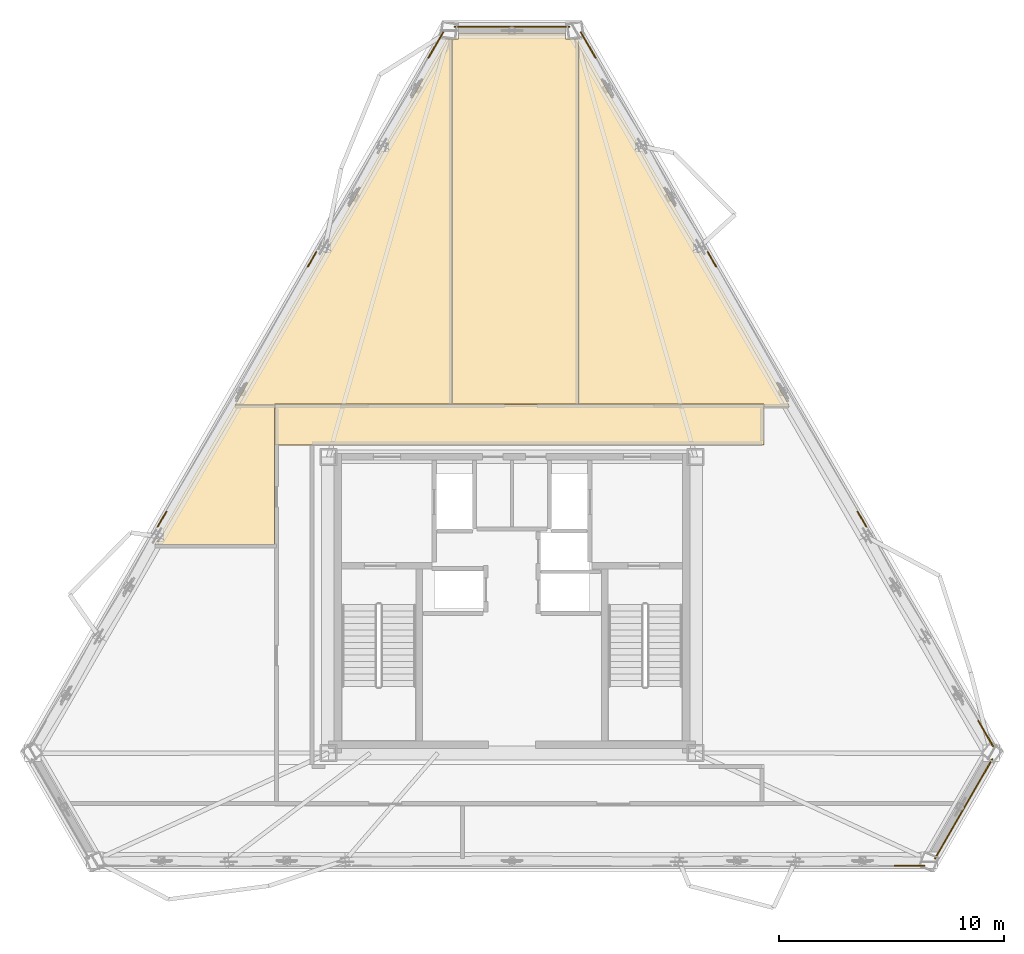
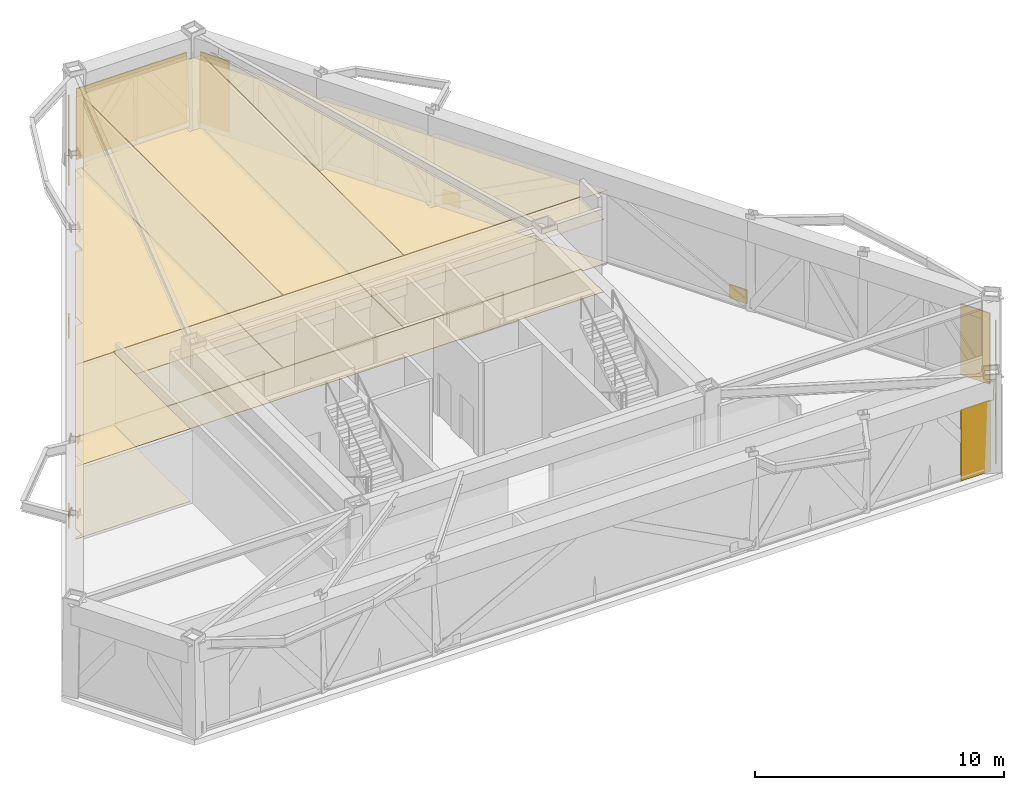
# One storey, part 10 of 10: 20 coverings.
"""IFC4 building model written with IfcOpenShell, lengths in metres."""

from ifc_helpers import new_model, si_unit, direction, frame, origin, origin_2d, place, context, subcontext, project, spatial, polyline, rectangle, outline, extrude, material, layer, layer_set, type_object, element, save


model = new_model("IFC4")

# Units and contexts
model_context = context("Model", 3, precision=1e-05, world=origin(), true_north=direction((0.0, 1.0)))
body_context = subcontext(model_context, "Body", "Model", "MODEL_VIEW")
ifc_project = project(units=[si_unit("LENGTHUNIT", "METRE"), si_unit("AREAUNIT", "SQUARE_METRE"), si_unit("VOLUMEUNIT", "CUBIC_METRE"), si_unit("PLANEANGLEUNIT", "RADIAN"), si_unit("MASSUNIT", "GRAM", prefix="KILO")], contexts=[model_context])

# Site, building, storey
site_placement = place(None, origin())
site = spatial("IfcSite", under=ifc_project, at=site_placement, CompositionType="ELEMENT")
building_placement = place(site_placement, origin())
building = spatial("IfcBuilding", under=site, at=building_placement, Name="Oramaril Tower", CompositionType="ELEMENT")
storey_placement = place(building_placement, frame((0.0, 0.0, 245.10009765625)))
storey = spatial("IfcBuildingStorey", under=building, at=storey_placement, Name="L65", CompositionType="ELEMENT", Elevation=245.10009765625)

# Coverings
ifc_material_1 = material(Name="Mineral Fibre Acoustic Ceiling")
ifc_layer_1 = layer(ifc_material_1, 0.02001953125)
ifc_layer_set_1 = layer_set([ifc_layer_1], Name="CVT-CEIL")
covering_type_1 = type_object("IfcCoveringType", Name="CVT-CEIL", PredefinedType="CEILING", material=ifc_layer_set_1)
covering_1_placement = place(storey_placement, frame((0.0, 0.0, 3.56201171875)))
element("IfcCovering", 1, at=covering_1_placement, inside=storey, type_object=covering_type_1, Name="L65 Acoustic Suspended Ceiling 2", PredefinedType="CEILING", context=body_context, shape_type="SweptSolid", body=[
    extrude(outline(polyline([(48.679931640625, 26.47998046875), (48.679931640625, 24.669921875), (26.969970703125, 24.669921875), (26.969970703125, 26.47998046875), (48.679931640625, 26.47998046875)])), origin(), (0.0, 0.0, 1.0), 0.019775390625),
])
covering_2_placement = place(storey_placement, frame((0.0, 0.0, 3.56201171875)))
element("IfcCovering", 2, at=covering_2_placement, inside=storey, type_object=covering_type_1, Name="L65 Acoustic Suspended Ceiling 7", PredefinedType="CEILING", context=body_context, shape_type="SweptSolid", body=[
    extrude(outline(polyline([(21.70947265625, 20.397705078125), (22.0029296875, 20.397705078125), (22.0029296875, 20.87646484375), (21.98583984375, 20.87646484375), (25.19921875, 26.44189453125), (26.949951171875, 26.44189453125), (26.949951171875, 24.669921875), (26.9501953125, 24.66796875), (26.950439453125, 24.666015625), (26.950927734375, 24.664306640625), (26.951416015625, 24.662353515625), (26.952392578125, 24.66064453125), (26.95263671875, 24.659912109375), (26.952392578125, 24.659423828125), (26.951416015625, 24.65771484375), (26.950927734375, 24.65576171875), (26.950439453125, 24.65380859375), (26.9501953125, 24.652099609375), (26.949951171875, 24.64990234375), (26.949951171875, 20.261962890625), (21.631103515625, 20.261962890625), (21.70947265625, 20.397705078125)])), origin(), (0.0, 0.0, 1.0), 0.019775390625),
])
covering_3_placement = place(storey_placement, frame((0.0, 0.0, 3.56201171875)))
element("IfcCovering", 3, at=covering_3_placement, inside=storey, type_object=covering_type_1, Name="L65 Acoustic Suspended Ceiling 8", PredefinedType="CEILING", context=body_context, shape_type="SweptSolid", body=[
    extrude(outline(polyline([(29.413330078125, 33.23291015625), (29.413330078125, 33.6943359375), (29.386474609375, 33.6943359375), (31.713623046875, 37.725341796875), (32.007080078125, 37.725341796875), (32.007080078125, 38.1806640625), (31.9765625, 38.1806640625), (34.591064453125, 42.708984375), (34.842041015625, 42.708984375), (34.842041015625, 26.5), (26.969970703125, 26.5), (26.968017578125, 26.5), (26.966064453125, 26.49951171875), (26.964111328125, 26.4990234375), (26.96240234375, 26.49853515625), (26.960693359375, 26.49755859375), (26.958984375, 26.49658203125), (26.957275390625, 26.49560546875), (26.955810546875, 26.494140625), (26.95458984375, 26.49267578125), (26.953369140625, 26.4912109375), (26.952392578125, 26.489501953125), (26.951416015625, 26.48779296875), (26.950927734375, 26.48583984375), (26.950439453125, 26.48388671875), (26.9501953125, 26.48193359375), (26.949951171875, 26.47998046875), (26.949951171875, 26.4619140625), (25.210693359375, 26.4619140625), (29.1201171875, 33.23291015625), (29.413330078125, 33.23291015625)])), origin(), (0.0, 0.0, 1.0), 0.019775390625),
])
covering_4_placement = place(storey_placement, frame((0.0, 0.0, 3.56201171875)))
element("IfcCovering", 4, at=covering_4_placement, inside=storey, type_object=covering_type_1, Name="L65 Acoustic Suspended Ceiling 9", PredefinedType="CEILING", context=body_context, shape_type="SweptSolid", body=[
    extrude(outline(polyline([(35.121826171875, 42.708984375), (35.121826171875, 42.980224609375), (39.878173828125, 42.980224609375), (39.878173828125, 42.708984375), (40.408935546875, 42.708984375), (40.44189453125, 42.65185546875), (40.44189453125, 26.5), (34.862060546875, 26.5), (34.862060546875, 42.708984375), (35.121826171875, 42.708984375)])), origin(), (0.0, 0.0, 1.0), 0.019775390625),
])
covering_5_placement = place(storey_placement, frame((0.0, 0.0, 3.56201171875)))
element("IfcCovering", 5, at=covering_5_placement, inside=storey, type_object=covering_type_1, Name="L65 Acoustic Suspended Ceiling 10", PredefinedType="CEILING", context=body_context, shape_type="SweptSolid", body=[
    extrude(outline(polyline([(43.0234375, 38.1806640625), (42.992919921875, 38.1806640625), (42.992919921875, 37.725341796875), (43.286376953125, 37.725341796875), (45.613525390625, 33.6943359375), (45.586669921875, 33.6943359375), (45.586669921875, 33.23291015625), (45.8798828125, 33.23291015625), (49.849365234375, 26.35791015625), (48.699951171875, 26.35791015625), (48.699951171875, 26.47998046875), (48.699951171875, 26.48193359375), (48.69970703125, 26.48388671875), (48.69921875, 26.48583984375), (48.698486328125, 26.48779296875), (48.697509765625, 26.489501953125), (48.696533203125, 26.4912109375), (48.695556640625, 26.49267578125), (48.694091796875, 26.494140625), (48.692626953125, 26.49560546875), (48.691162109375, 26.49658203125), (48.689453125, 26.49755859375), (48.687744140625, 26.49853515625), (48.685791015625, 26.4990234375), (48.683837890625, 26.49951171875), (48.681884765625, 26.5), (48.679931640625, 26.5), (40.4619140625, 26.5), (40.4619140625, 42.6171875), (43.0234375, 38.1806640625)])), origin(), (0.0, 0.0, 1.0), 0.019775390625),
])
ifc_material_2 = material(Name="Warm Cream Limestone", Category="masonry")
ifc_layer_2 = layer(ifc_material_2, 0.050048828125)
ifc_layer_set_2 = layer_set([ifc_layer_2], Name="CVT-CLD")
covering_type_2 = type_object("IfcCoveringType", Name="CVT-CLD", PredefinedType="CLADDING", material=ifc_layer_set_2)
covering_6_placement = place(storey_placement, frame((55.151123046875, 6.000244140625, 0.0400390625), z_axis=(0.0, 0.0, 1.0), x_axis=(1.0, 0.0, 0.0)))
element("IfcCovering", 6, at=covering_6_placement, inside=storey, type_object=covering_type_2, Name="L65 Warm Cream Limestone Cladding", PredefinedType="CLADDING", context=body_context, shape_type="SweptSolid", body=[
    extrude(rectangle(XDim=1.35009765625, YDim=0.050048828125, at=origin_2d()), origin(), (0.0, 0.0, 1.0), 3.489990234375),
])
covering_7_placement = place(storey_placement, frame((57.553955078125, 8.52197265625, 0.0400390625), z_axis=(0.0, 0.0, 1.0), x_axis=(0.499992442484, 0.866029767075, 0.0)))
element("IfcCovering", 7, at=covering_7_placement, inside=storey, type_object=covering_type_2, Name="L65 Warm Cream Limestone Cladding", PredefinedType="CLADDING", context=body_context, shape_type="SweptSolid", body=[
    extrude(rectangle(XDim=5.12939453125, YDim=0.050048828125, at=origin_2d()), origin(), (0.0, 0.0, 1.0), 3.489990234375),
])
for number, where, z_axis, x_axis, name in (
    (8, (58.536376953125, 11.863525390625, 0.0400390625), (0.0, 0.0, 1.0), (-0.5, 0.866025403784, 0.0), "L65 Warm Cream Limestone Cladding"),
    (9, (40.88525390625, 42.436279296875, 0.0400390625), (0.0, 0.0, 1.0), (-0.5, 0.866025403784, 0.0), "L65 Warm Cream Limestone Cladding"),
):
    element("IfcCovering", number, at=place(storey_placement, frame(where, z_axis=z_axis, x_axis=x_axis)), inside=storey, type_object=covering_type_2, Name=name, PredefinedType="CLADDING", context=body_context, shape_type="SweptSolid", body=[
        extrude(rectangle(XDim=1.35009765625, YDim=0.050048828125, at=origin_2d()), origin(), (0.0, 0.0, 1.0), 3.489990234375),
    ])
for number, where, z_axis, x_axis, name in (
    (10, (53.041015625, 21.3818359375, 0.0400390625), (0.0, 0.0, 1.0), (-0.5, 0.866025403784, 0.0), "L65 Warm Cream Limestone Spandrel Cladding"),
    (11, (46.380615234375, 32.91796875, 0.0400390625), (0.0, 0.0, 1.0), (-0.5, 0.866025403784, 0.0), "L65 Warm Cream Limestone Spandrel Cladding"),
):
    element("IfcCovering", number, at=place(storey_placement, frame(where, z_axis=z_axis, x_axis=x_axis)), inside=storey, type_object=covering_type_2, Name=name, PredefinedType="CLADDING", context=body_context, shape_type="SweptSolid", body=[
        extrude(rectangle(XDim=0.800048828125, YDim=0.050048828125, at=origin_2d()), origin(), (0.0, 0.0, 1.0), 0.679931640625),
    ])
covering_8_placement = place(storey_placement, frame((37.5, 43.25634765625, 0.0400390625), z_axis=(0.0, 0.0, 1.0), x_axis=(-1.0, 0.0, 0.0)))
element("IfcCovering", 12, at=covering_8_placement, inside=storey, type_object=covering_type_2, Name="L65 Warm Cream Limestone Cladding", PredefinedType="CLADDING", context=body_context, shape_type="SweptSolid", body=[
    extrude(rectangle(XDim=5.12939453125, YDim=0.050048828125, at=origin_2d()), origin(), (0.0, 0.0, 1.0), 3.489990234375),
])
covering_9_placement = place(storey_placement, frame((34.11474609375, 42.436279296875, 0.0400390625), z_axis=(0.0, 0.0, 1.0), x_axis=(-0.5, -0.866025403784, 0.0)))
element("IfcCovering", 13, at=covering_9_placement, inside=storey, type_object=covering_type_2, Name="L65 Warm Cream Limestone Cladding", PredefinedType="CLADDING", context=body_context, shape_type="SweptSolid", body=[
    extrude(rectangle(XDim=1.35009765625, YDim=0.050048828125, at=origin_2d()), origin(), (0.0, 0.0, 1.0), 3.489990234375),
])
for number, where, z_axis, x_axis, name in (
    (14, (28.619384765625, 32.91796875, 0.0400390625), (0.0, 0.0, 1.0), (-0.5, -0.866025403784, 0.0), "L65 Warm Cream Limestone Spandrel Cladding"),
    (15, (21.958984375, 21.3818359375, 0.0400390625), (0.0, 0.0, 1.0), (-0.5, -0.866025403784, 0.0), "L65 Warm Cream Limestone Spandrel Cladding"),
):
    element("IfcCovering", number, at=place(storey_placement, frame(where, z_axis=z_axis, x_axis=x_axis)), inside=storey, type_object=covering_type_2, Name=name, PredefinedType="CLADDING", context=body_context, shape_type="SweptSolid", body=[
        extrude(rectangle(XDim=0.800048828125, YDim=0.050048828125, at=origin_2d()), origin(), (0.0, 0.0, 1.0), 0.679931640625),
    ])
ifc_material_3 = material(Name="Honed Quartzite Stone Flooring", Category="masonry")
ifc_layer_3 = layer(ifc_material_3, 0.02490234375)
ifc_layer_set_3 = layer_set([ifc_layer_3], Name="CVT-FLR")
covering_type_3 = type_object("IfcCoveringType", Name="CVT-FLR", PredefinedType="FLOORING", material=ifc_layer_set_3)
covering_10_placement = place(storey_placement, origin())
element("IfcCovering", 16, at=covering_10_placement, inside=storey, type_object=covering_type_3, Name="L65 Honed Stone Floor Finish 2", PredefinedType="FLOORING", context=body_context, shape_type="SweptSolid", body=[
    extrude(outline(polyline([(48.679931640625, 26.47998046875), (48.679931640625, 24.669921875), (26.969970703125, 24.669921875), (26.969970703125, 26.47998046875), (48.679931640625, 26.47998046875)])), origin(), (0.0, 0.0, 1.0), 0.02490234375),
])
covering_11_placement = place(storey_placement, origin())
element("IfcCovering", 17, at=covering_11_placement, inside=storey, type_object=covering_type_3, Name="L65 Honed Stone Floor Finish 7", PredefinedType="FLOORING", context=body_context, shape_type="SweptSolid", body=[
    extrude(outline(polyline([(21.70947265625, 20.397705078125), (22.0029296875, 20.397705078125), (22.0029296875, 20.87646484375), (21.98583984375, 20.87646484375), (25.19921875, 26.44189453125), (26.949951171875, 26.44189453125), (26.949951171875, 24.669921875), (26.9501953125, 24.66796875), (26.950439453125, 24.666015625), (26.950927734375, 24.664306640625), (26.951416015625, 24.662353515625), (26.952392578125, 24.66064453125), (26.95263671875, 24.659912109375), (26.952392578125, 24.659423828125), (26.951416015625, 24.65771484375), (26.950927734375, 24.65576171875), (26.950439453125, 24.65380859375), (26.9501953125, 24.652099609375), (26.949951171875, 24.64990234375), (26.949951171875, 20.261962890625), (21.631103515625, 20.261962890625), (21.70947265625, 20.397705078125)])), origin(), (0.0, 0.0, 1.0), 0.02490234375),
])
covering_12_placement = place(storey_placement, origin())
element("IfcCovering", 18, at=covering_12_placement, inside=storey, type_object=covering_type_3, Name="L65 Honed Stone Floor Finish 8", PredefinedType="FLOORING", context=body_context, shape_type="SweptSolid", body=[
    extrude(outline(polyline([(29.413330078125, 33.23291015625), (29.413330078125, 33.6943359375), (29.386474609375, 33.6943359375), (31.713623046875, 37.725341796875), (32.007080078125, 37.725341796875), (32.007080078125, 38.1806640625), (31.9765625, 38.1806640625), (34.591064453125, 42.708984375), (34.842041015625, 42.708984375), (34.842041015625, 26.5), (26.969970703125, 26.5), (26.968017578125, 26.5), (26.966064453125, 26.49951171875), (26.964111328125, 26.4990234375), (26.96240234375, 26.49853515625), (26.960693359375, 26.49755859375), (26.958984375, 26.49658203125), (26.957275390625, 26.49560546875), (26.955810546875, 26.494140625), (26.95458984375, 26.49267578125), (26.953369140625, 26.4912109375), (26.952392578125, 26.489501953125), (26.951416015625, 26.48779296875), (26.950927734375, 26.48583984375), (26.950439453125, 26.48388671875), (26.9501953125, 26.48193359375), (26.949951171875, 26.47998046875), (26.949951171875, 26.4619140625), (25.210693359375, 26.4619140625), (29.1201171875, 33.23291015625), (29.413330078125, 33.23291015625)])), origin(), (0.0, 0.0, 1.0), 0.02490234375),
])
covering_13_placement = place(storey_placement, origin())
element("IfcCovering", 19, at=covering_13_placement, inside=storey, type_object=covering_type_3, Name="L65 Honed Stone Floor Finish 9", PredefinedType="FLOORING", context=body_context, shape_type="SweptSolid", body=[
    extrude(outline(polyline([(35.121826171875, 42.708984375), (35.121826171875, 42.980224609375), (39.878173828125, 42.980224609375), (39.878173828125, 42.708984375), (40.408935546875, 42.708984375), (40.44189453125, 42.65185546875), (40.44189453125, 26.5), (34.862060546875, 26.5), (34.862060546875, 42.708984375), (35.121826171875, 42.708984375)])), origin(), (0.0, 0.0, 1.0), 0.02490234375),
])
covering_14_placement = place(storey_placement, origin())
element("IfcCovering", 20, at=covering_14_placement, inside=storey, type_object=covering_type_3, Name="L65 Honed Stone Floor Finish 10", PredefinedType="FLOORING", context=body_context, shape_type="SweptSolid", body=[
    extrude(outline(polyline([(43.0234375, 38.1806640625), (42.992919921875, 38.1806640625), (42.992919921875, 37.725341796875), (43.286376953125, 37.725341796875), (45.613525390625, 33.6943359375), (45.586669921875, 33.6943359375), (45.586669921875, 33.23291015625), (45.8798828125, 33.23291015625), (49.849365234375, 26.35791015625), (48.699951171875, 26.35791015625), (48.699951171875, 26.47998046875), (48.699951171875, 26.48193359375), (48.69970703125, 26.48388671875), (48.69921875, 26.48583984375), (48.698486328125, 26.48779296875), (48.697509765625, 26.489501953125), (48.696533203125, 26.4912109375), (48.695556640625, 26.49267578125), (48.694091796875, 26.494140625), (48.692626953125, 26.49560546875), (48.691162109375, 26.49658203125), (48.689453125, 26.49755859375), (48.687744140625, 26.49853515625), (48.685791015625, 26.4990234375), (48.683837890625, 26.49951171875), (48.681884765625, 26.5), (48.679931640625, 26.5), (40.4619140625, 26.5), (40.4619140625, 42.6171875), (43.0234375, 38.1806640625)])), origin(), (0.0, 0.0, 1.0), 0.02490234375),
])

save(model, "model.ifc")
